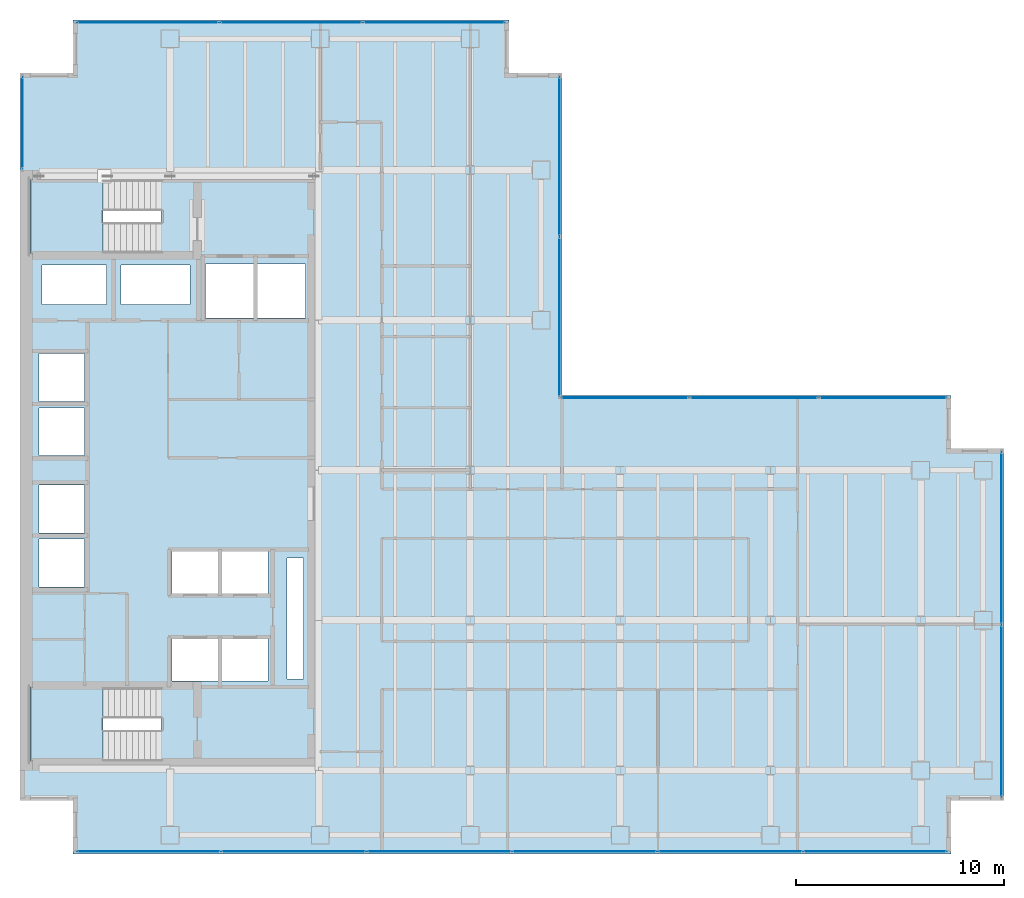
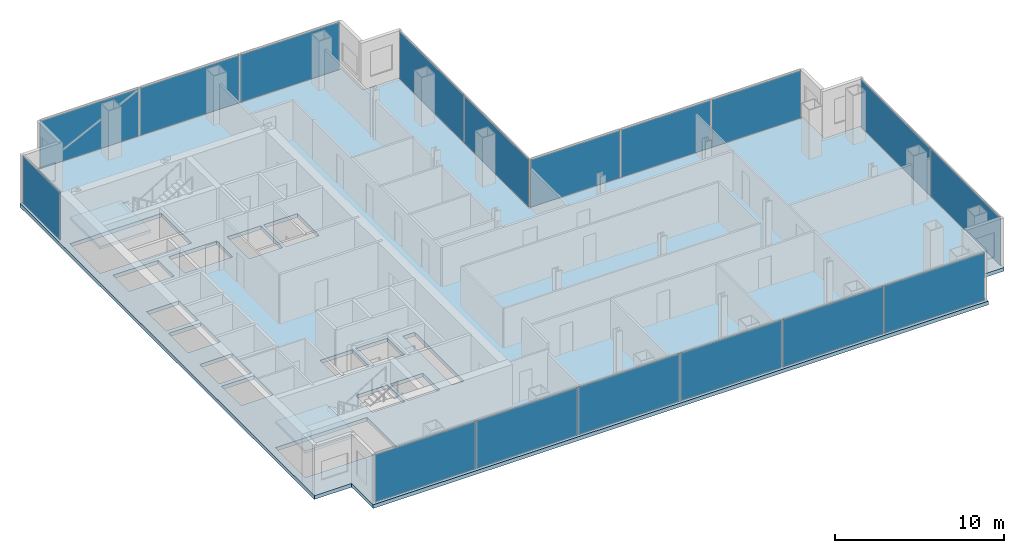
# One storey, part 19 of 24: 17 plates, 3 slabs, 15 openings, 8 elements without a shape of their own.
"""IFC4 building model written with IfcOpenShell, lengths in metres."""

from ifc_helpers import new_model, si_unit, direction, frame, origin, origin_2d, place, context, subcontext, project, spatial, polyline, rectangle, outline, extrude, material, layer, layer_set, type_object, element, aggregate, save


model = new_model("IFC4")

# Units and contexts
model_context = context("Model", 3, precision=1e-05, world=origin(), true_north=direction((0.0, 1.0)))
body_context = subcontext(model_context, "Body", "Model", "MODEL_VIEW")
ifc_project = project(units=[si_unit("LENGTHUNIT", "METRE"), si_unit("AREAUNIT", "SQUARE_METRE"), si_unit("VOLUMEUNIT", "CUBIC_METRE"), si_unit("PLANEANGLEUNIT", "RADIAN"), si_unit("MASSUNIT", "GRAM", prefix="KILO")], contexts=[model_context])

# Site, building, storey
site_placement = place(None, origin())
site = spatial("IfcSite", under=ifc_project, at=site_placement, CompositionType="ELEMENT")
building_placement = place(site_placement, origin())
building = spatial("IfcBuilding", under=site, at=building_placement, Name="Cobrela Telecom Tower", CompositionType="ELEMENT")
storey_placement = place(building_placement, frame((0.0, 0.0, 136.85009765625)))
storey = spatial("IfcBuildingStorey", under=building, at=storey_placement, Name="L34", CompositionType="ELEMENT", Elevation=136.85009765625)

# Curtain wall, plate
ifc_material_1 = material(Name="Anodized Bronze Aluminium 6063-T6", Category="aluminium")
curtain_wall_type = type_object("IfcCurtainWallType", Name="CW-SYS-TEL", PredefinedType="USERDEFINED", material=ifc_material_1)
curtain_wall_1_placement = place(storey_placement, origin())
curtain_wall_1 = element("IfcCurtainWall", 1, at=curtain_wall_1_placement, inside=storey, type_object=curtain_wall_type, Name="L34 Unitised Bronze Curtain Wall 04", ObjectType="UNITISED CURTAIN WALL", PredefinedType="USERDEFINED")
ifc_material_2 = material(Name="Solar-Control Bronze Low-E Glass", Category="glass")
ifc_layer_1 = layer(ifc_material_2, 0.035888671875)
ifc_layer_set_1 = layer_set([ifc_layer_1], Name="Solar-Control Bronze Low-E Glass")
plate_type = type_object("IfcPlateType", Name="CW-SYS-TEL-PNL", PredefinedType="CURTAIN_PANEL", material=ifc_layer_set_1)
plate_1_placement = place(storey_placement, frame((0.1201171875, 38.264892578125, 0.06982421875), z_axis=(0.0, 0.0, 1.0), x_axis=(0.0, 1.0, 0.0)))
plate_1 = element("IfcPlate", 2, at=plate_1_placement, type_object=plate_type, Name="CW-TEL panel 1.1", PredefinedType="CURTAIN_PANEL", context=body_context, shape_type="SweptSolid", body=[
    extrude(rectangle(XDim=4.3798828125, YDim=0.035888671875, at=origin_2d()), origin(), (0.0, 0.0, 1.0), 3.43994140625),
])
aggregate(curtain_wall_1, [plate_1])

# Curtain wall, plates
curtain_wall_2_placement = place(storey_placement, origin())
curtain_wall_2 = element("IfcCurtainWall", 3, at=curtain_wall_2_placement, inside=storey, type_object=curtain_wall_type, Name="L34 Unitised Bronze Curtain Wall 07", ObjectType="UNITISED CURTAIN WALL", PredefinedType="USERDEFINED")
plate_2_placement = place(storey_placement, frame((6.132080078125, 43.080078125, 0.06982421875), z_axis=(0.0, 0.0, 1.0), x_axis=(1.0, 0.0, 0.0)))
plate_2 = element("IfcPlate", 4, at=plate_2_placement, type_object=plate_type, Name="CW-TEL panel 1.1", PredefinedType="CURTAIN_PANEL", context=body_context, shape_type="SweptSolid", body=[
    extrude(rectangle(XDim=6.774169921875, YDim=0.035888671875, at=origin_2d()), origin(), (0.0, 0.0, 1.0), 3.43994140625),
])
plate_3_placement = place(storey_placement, frame((13.0, 43.080078125, 0.06982421875), z_axis=(0.0, 0.0, 1.0), x_axis=(1.0, 0.0, 0.0)))
plate_3 = element("IfcPlate", 5, at=plate_3_placement, type_object=plate_type, Name="CW-TEL panel 2.1", PredefinedType="CURTAIN_PANEL", context=body_context, shape_type="SweptSolid", body=[
    extrude(rectangle(XDim=6.811767578125, YDim=0.035888671875, at=origin_2d()), origin(), (0.0, 0.0, 1.0), 3.43994140625),
])
plate_4_placement = place(storey_placement, frame((19.867919921875, 43.080078125, 0.06982421875), z_axis=(0.0, 0.0, 1.0), x_axis=(1.0, 0.0, 0.0)))
plate_4 = element("IfcPlate", 6, at=plate_4_placement, type_object=plate_type, Name="CW-TEL panel 3.1", PredefinedType="CURTAIN_PANEL", context=body_context, shape_type="SweptSolid", body=[
    extrude(rectangle(XDim=6.774169921875, YDim=0.035888671875, at=origin_2d()), origin(), (0.0, 0.0, 1.0), 3.43994140625),
])
aggregate(curtain_wall_2, [plate_2, plate_3, plate_4])

curtain_wall_3_placement = place(storey_placement, origin())
curtain_wall_3 = element("IfcCurtainWall", 7, at=curtain_wall_3_placement, inside=storey, type_object=curtain_wall_type, Name="L34 Unitised Bronze Curtain Wall 10", ObjectType="UNITISED CURTAIN WALL", PredefinedType="USERDEFINED")
plate_5_placement = place(storey_placement, frame((25.8798828125, 36.648681640625, 0.06982421875), z_axis=(0.0, 0.0, 1.0), x_axis=(0.0, -1.0, 0.0)))
plate_5 = element("IfcPlate", 8, at=plate_5_placement, type_object=plate_type, Name="CW-TEL panel 1.1", PredefinedType="CURTAIN_PANEL", context=body_context, shape_type="SweptSolid", body=[
    extrude(rectangle(XDim=7.612548828125, YDim=0.035888671875, at=origin_2d()), origin(), (0.0, 0.0, 1.0), 3.43994140625),
])
plate_6_placement = place(storey_placement, frame((25.8798828125, 28.961181640625, 0.06982421875), z_axis=(0.0, 0.0, 1.0), x_axis=(0.0, -1.0, 0.0)))
plate_6 = element("IfcPlate", 9, at=plate_6_placement, type_object=plate_type, Name="CW-TEL panel 2.1", PredefinedType="CURTAIN_PANEL", context=body_context, shape_type="SweptSolid", body=[
    extrude(rectangle(XDim=7.612548828125, YDim=0.035888671875, at=origin_2d()), origin(), (0.0, 0.0, 1.0), 3.43994140625),
])
aggregate(curtain_wall_3, [plate_5, plate_6])

curtain_wall_4_placement = place(storey_placement, origin())
curtain_wall_4 = element("IfcCurtainWall", 10, at=curtain_wall_4_placement, inside=storey, type_object=curtain_wall_type, Name="L34 Unitised Bronze Curtain Wall 11", ObjectType="UNITISED CURTAIN WALL", PredefinedType="USERDEFINED")
plate_7_placement = place(storey_placement, frame((29.007080078125, 25.080078125, 0.06982421875), z_axis=(0.0, 0.0, 1.0), x_axis=(1.0, 0.0, 0.0)))
plate_7 = element("IfcPlate", 11, at=plate_7_placement, type_object=plate_type, Name="CW-TEL panel 1.1", PredefinedType="CURTAIN_PANEL", context=body_context, shape_type="SweptSolid", body=[
    extrude(rectangle(XDim=6.104248046875, YDim=0.035888671875, at=origin_2d()), origin(), (0.0, 0.0, 1.0), 3.43994140625),
])
plate_8_placement = place(storey_placement, frame((35.205078125, 25.080078125, 0.06982421875), z_axis=(0.0, 0.0, 1.0), x_axis=(1.0, 0.0, 0.0)))
plate_8 = element("IfcPlate", 12, at=plate_8_placement, type_object=plate_type, Name="CW-TEL panel 2.1", PredefinedType="CURTAIN_PANEL", context=body_context, shape_type="SweptSolid", body=[
    extrude(rectangle(XDim=6.1416015625, YDim=0.035888671875, at=origin_2d()), origin(), (0.0, 0.0, 1.0), 3.43994140625),
])
plate_9_placement = place(storey_placement, frame((41.40283203125, 25.080078125, 0.06982421875), z_axis=(0.0, 0.0, 1.0), x_axis=(1.0, 0.0, 0.0)))
plate_9 = element("IfcPlate", 13, at=plate_9_placement, type_object=plate_type, Name="CW-TEL panel 3.1", PredefinedType="CURTAIN_PANEL", context=body_context, shape_type="SweptSolid", body=[
    extrude(rectangle(XDim=6.104248046875, YDim=0.035888671875, at=origin_2d()), origin(), (0.0, 0.0, 1.0), 3.43994140625),
])
aggregate(curtain_wall_4, [plate_7, plate_8, plate_9])

curtain_wall_5_placement = place(storey_placement, origin())
curtain_wall_5 = element("IfcCurtainWall", 14, at=curtain_wall_5_placement, inside=storey, type_object=curtain_wall_type, Name="L34 Unitised Bronze Curtain Wall 14", ObjectType="UNITISED CURTAIN WALL", PredefinedType="USERDEFINED")
plate_10_placement = place(storey_placement, frame((47.080078125, 18.34619140625, 0.06982421875), z_axis=(0.0, 0.0, 1.0), x_axis=(0.0, -1.0, 0.0)))
plate_10 = element("IfcPlate", 15, at=plate_10_placement, type_object=plate_type, Name="CW-TEL panel 1.1", PredefinedType="CURTAIN_PANEL", context=body_context, shape_type="SweptSolid", body=[
    extrude(rectangle(XDim=8.217529296875, YDim=0.035888671875, at=origin_2d()), origin(), (0.0, 0.0, 1.0), 3.43994140625),
])
plate_11_placement = place(storey_placement, frame((47.080078125, 10.0537109375, 0.06982421875), z_axis=(0.0, 0.0, 1.0), x_axis=(0.0, -1.0, 0.0)))
plate_11 = element("IfcPlate", 16, at=plate_11_placement, type_object=plate_type, Name="CW-TEL panel 2.1", PredefinedType="CURTAIN_PANEL", context=body_context, shape_type="SweptSolid", body=[
    extrude(rectangle(XDim=8.217529296875, YDim=0.035888671875, at=origin_2d()), origin(), (0.0, 0.0, 1.0), 3.43994140625),
])
aggregate(curtain_wall_5, [plate_10, plate_11])

curtain_wall_6_placement = place(storey_placement, origin())
curtain_wall_6 = element("IfcCurtainWall", 17, at=curtain_wall_6_placement, inside=storey, type_object=curtain_wall_type, Name="L34 Unitised Bronze Curtain Wall 17", ObjectType="UNITISED CURTAIN WALL", PredefinedType="USERDEFINED")
plate_12_placement = place(storey_placement, frame((41.02294921875, 3.320068359375, 0.06982421875), z_axis=(0.0, 0.0, 1.0), x_axis=(-1.0, 0.0, 0.0)))
plate_12 = element("IfcPlate", 18, at=plate_12_placement, type_object=plate_type, Name="CW-TEL panel 1.1", PredefinedType="CURTAIN_PANEL", context=body_context, shape_type="SweptSolid", body=[
    extrude(rectangle(XDim=6.8642578125, YDim=0.035888671875, at=origin_2d()), origin(), (0.0, 0.0, 1.0), 3.43994140625),
])
plate_13_placement = place(storey_placement, frame((34.06494140625, 3.320068359375, 0.06982421875), z_axis=(0.0, 0.0, 1.0), x_axis=(-1.0, 0.0, 0.0)))
plate_13 = element("IfcPlate", 19, at=plate_13_placement, type_object=plate_type, Name="CW-TEL panel 2.1", PredefinedType="CURTAIN_PANEL", context=body_context, shape_type="SweptSolid", body=[
    extrude(rectangle(XDim=6.901611328125, YDim=0.035888671875, at=origin_2d()), origin(), (0.0, 0.0, 1.0), 3.43994140625),
])
plate_14_placement = place(storey_placement, frame((27.08837890625, 3.320068359375, 0.06982421875), z_axis=(0.0, 0.0, 1.0), x_axis=(-1.0, 0.0, 0.0)))
plate_14 = element("IfcPlate", 20, at=plate_14_placement, type_object=plate_type, Name="CW-TEL panel 3.1", PredefinedType="CURTAIN_PANEL", context=body_context, shape_type="SweptSolid", body=[
    extrude(rectangle(XDim=6.901611328125, YDim=0.035888671875, at=origin_2d()), origin(), (0.0, 0.0, 1.0), 3.43994140625),
])
plate_15_placement = place(storey_placement, frame((20.111572265625, 3.320068359375, 0.06982421875), z_axis=(0.0, 0.0, 1.0), x_axis=(-1.0, 0.0, 0.0)))
plate_15 = element("IfcPlate", 21, at=plate_15_placement, type_object=plate_type, Name="CW-TEL panel 4.1", PredefinedType="CURTAIN_PANEL", context=body_context, shape_type="SweptSolid", body=[
    extrude(rectangle(XDim=6.901611328125, YDim=0.035888671875, at=origin_2d()), origin(), (0.0, 0.0, 1.0), 3.43994140625),
])
plate_16_placement = place(storey_placement, frame((13.135009765625, 3.320068359375, 0.06982421875), z_axis=(0.0, 0.0, 1.0), x_axis=(-1.0, 0.0, 0.0)))
plate_16 = element("IfcPlate", 22, at=plate_16_placement, type_object=plate_type, Name="CW-TEL panel 5.1", PredefinedType="CURTAIN_PANEL", context=body_context, shape_type="SweptSolid", body=[
    extrude(rectangle(XDim=6.901611328125, YDim=0.035888671875, at=origin_2d()), origin(), (0.0, 0.0, 1.0), 3.43994140625),
])
plate_17_placement = place(storey_placement, frame((6.177001953125, 3.320068359375, 0.06982421875), z_axis=(0.0, 0.0, 1.0), x_axis=(-1.0, 0.0, 0.0)))
plate_17 = element("IfcPlate", 23, at=plate_17_placement, type_object=plate_type, Name="CW-TEL panel 6.1", PredefinedType="CURTAIN_PANEL", context=body_context, shape_type="SweptSolid", body=[
    extrude(rectangle(XDim=6.8642578125, YDim=0.035888671875, at=origin_2d()), origin(), (0.0, 0.0, 1.0), 3.43994140625),
])
aggregate(curtain_wall_6, [plate_12, plate_13, plate_14, plate_15, plate_16, plate_17])

# Slab, openings
ifc_material_3 = material(Name="Concrete C40/50", Category="concrete")
ifc_layer_2 = layer(ifc_material_3, 0.27001953125)
ifc_layer_set_2 = layer_set([ifc_layer_2], Name="Concrete C40/50")
slab_type_1 = type_object("IfcSlabType", Name="SLAB-FLR-270", PredefinedType="FLOOR", material=ifc_layer_set_2)
slab_1_placement = place(storey_placement, frame((0.0, 0.0, -0.27001953125)))
slab_1 = element("IfcSlab", 24, at=slab_1_placement, inside=storey, type_object=slab_type_1, Name="L34 Structural Floor Slab", PredefinedType="FLOOR", context=body_context, shape_type="SweptSolid", body=[
    extrude(outline(polyline([(2.550048828125, 3.199951171875), (44.64990234375, 3.199951171875), (44.64990234375, 5.75), (47.199951171875, 5.75), (47.199951171875, 22.64990234375), (44.64990234375, 22.64990234375), (44.64990234375, 25.199951171875), (26.0, 25.199951171875), (26.0, 40.64990234375), (23.449951171875, 40.64990234375), (23.449951171875, 43.199951171875), (2.550048828125, 43.199951171875), (2.550048828125, 40.64990234375), (0.0, 40.64990234375), (0.0, 5.75), (2.550048828125, 5.75), (2.550048828125, 3.199951171875)])), origin(), (0.0, 0.0, 1.0), 0.27001953125),
])
opening_1_placement = place(slab_1_placement, frame((0.0, 0.0, -0.02001953125)))
element("IfcOpeningElement", 25, at=opening_1_placement, cuts=slab_1, Name="Slab Shaft Opening SLAB-L34-MAIN.1", PredefinedType="OPENING", context=body_context, shape_type="SweptSolid", body=[
    extrude(outline(polyline([(8.89990234375, 28.89990234375), (11.199951171875, 28.89990234375), (11.199951171875, 31.5), (8.89990234375, 31.5), (8.89990234375, 28.89990234375)])), origin(), (0.0, 0.0, 1.0), 0.31005859375),
])
opening_2_placement = place(slab_1_placement, frame((0.0, 0.0, -0.02001953125)))
element("IfcOpeningElement", 26, at=opening_2_placement, cuts=slab_1, Name="Slab Shaft Opening SLAB-L34-MAIN.2", PredefinedType="OPENING", context=body_context, shape_type="SweptSolid", body=[
    extrude(outline(polyline([(11.39990234375, 28.89990234375), (13.699951171875, 28.89990234375), (13.699951171875, 31.5), (11.39990234375, 31.5), (11.39990234375, 28.89990234375)])), origin(), (0.0, 0.0, 1.0), 0.31005859375),
])
opening_3_placement = place(slab_1_placement, frame((0.0, 0.0, -0.02001953125)))
element("IfcOpeningElement", 27, at=opening_3_placement, cuts=slab_1, Name="Slab Shaft Opening SLAB-L34-MAIN.3", PredefinedType="OPENING", context=body_context, shape_type="SweptSolid", body=[
    extrude(outline(polyline([(7.300048828125, 15.699951171875), (9.5, 15.699951171875), (9.5, 17.699951171875), (7.300048828125, 17.699951171875), (7.300048828125, 15.699951171875)])), origin(), (0.0, 0.0, 1.0), 0.31005859375),
])
opening_4_placement = place(slab_1_placement, frame((0.0, 0.0, -0.02001953125)))
element("IfcOpeningElement", 28, at=opening_4_placement, cuts=slab_1, Name="Slab Shaft Opening SLAB-L34-MAIN.4", PredefinedType="OPENING", context=body_context, shape_type="SweptSolid", body=[
    extrude(outline(polyline([(9.699951171875, 15.699951171875), (11.89990234375, 15.699951171875), (11.89990234375, 17.699951171875), (9.699951171875, 17.699951171875), (9.699951171875, 15.699951171875)])), origin(), (0.0, 0.0, 1.0), 0.31005859375),
])
opening_5_placement = place(slab_1_placement, frame((0.0, 0.0, -0.02001953125)))
element("IfcOpeningElement", 29, at=opening_5_placement, cuts=slab_1, Name="Slab Shaft Opening SLAB-L34-MAIN.5", PredefinedType="OPENING", context=body_context, shape_type="SweptSolid", body=[
    extrude(outline(polyline([(7.300048828125, 11.5), (9.5, 11.5), (9.5, 13.5), (7.300048828125, 13.5), (7.300048828125, 11.5)])), origin(), (0.0, 0.0, 1.0), 0.31005859375),
])
opening_6_placement = place(slab_1_placement, frame((0.0, 0.0, -0.02001953125)))
element("IfcOpeningElement", 30, at=opening_6_placement, cuts=slab_1, Name="Slab Shaft Opening SLAB-L34-MAIN.6", PredefinedType="OPENING", context=body_context, shape_type="SweptSolid", body=[
    extrude(outline(polyline([(9.699951171875, 11.5), (11.89990234375, 11.5), (11.89990234375, 13.5), (9.699951171875, 13.5), (9.699951171875, 11.5)])), origin(), (0.0, 0.0, 1.0), 0.31005859375),
])
opening_7_placement = place(slab_1_placement, frame((0.0, 0.0, -0.02001953125)))
element("IfcOpeningElement", 31, at=opening_7_placement, cuts=slab_1, Name="Slab Shaft Opening SLAB-L34-MAIN.7", PredefinedType="OPENING", context=body_context, shape_type="SweptSolid", body=[
    extrude(outline(polyline([(0.89990234375, 16.0), (3.10009765625, 16.0), (3.10009765625, 18.300048828125), (0.89990234375, 18.300048828125), (0.89990234375, 16.0)])), origin(), (0.0, 0.0, 1.0), 0.31005859375),
])
opening_8_placement = place(slab_1_placement, frame((0.0, 0.0, -0.02001953125)))
element("IfcOpeningElement", 32, at=opening_8_placement, cuts=slab_1, Name="Slab Shaft Opening SLAB-L34-MAIN.8", PredefinedType="OPENING", context=body_context, shape_type="SweptSolid", body=[
    extrude(outline(polyline([(0.89990234375, 18.60009765625), (3.10009765625, 18.60009765625), (3.10009765625, 20.89990234375), (0.89990234375, 20.89990234375), (0.89990234375, 18.60009765625)])), origin(), (0.0, 0.0, 1.0), 0.31005859375),
])
opening_9_placement = place(slab_1_placement, frame((0.0, 0.0, -0.02001953125)))
element("IfcOpeningElement", 33, at=opening_9_placement, cuts=slab_1, Name="Slab Shaft Opening SLAB-L34-MAIN.9", PredefinedType="OPENING", context=body_context, shape_type="SweptSolid", body=[
    extrude(outline(polyline([(0.89990234375, 22.300048828125), (3.10009765625, 22.300048828125), (3.10009765625, 24.60009765625), (0.89990234375, 24.60009765625), (0.89990234375, 22.300048828125)])), origin(), (0.0, 0.0, 1.0), 0.31005859375),
])
opening_10_placement = place(slab_1_placement, frame((0.0, 0.0, -0.02001953125)))
element("IfcOpeningElement", 34, at=opening_10_placement, cuts=slab_1, Name="Slab Shaft Opening SLAB-L34-MAIN.10", PredefinedType="OPENING", context=body_context, shape_type="SweptSolid", body=[
    extrude(outline(polyline([(0.89990234375, 24.89990234375), (3.10009765625, 24.89990234375), (3.10009765625, 27.199951171875), (0.89990234375, 27.199951171875), (0.89990234375, 24.89990234375)])), origin(), (0.0, 0.0, 1.0), 0.31005859375),
])
opening_11_placement = place(slab_1_placement, frame((0.0, 0.0, -0.02001953125)))
element("IfcOpeningElement", 35, at=opening_11_placement, cuts=slab_1, Name="Slab Shaft Opening SLAB-L34-MAIN.11", PredefinedType="OPENING", context=body_context, shape_type="SweptSolid", body=[
    extrude(outline(polyline([(1.050048828125, 29.550048828125), (4.14990234375, 29.550048828125), (4.14990234375, 31.449951171875), (1.050048828125, 31.449951171875), (1.050048828125, 29.550048828125)])), origin(), (0.0, 0.0, 1.0), 0.31005859375),
])
opening_12_placement = place(slab_1_placement, frame((0.0, 0.0, -0.02001953125)))
element("IfcOpeningElement", 36, at=opening_12_placement, cuts=slab_1, Name="Slab Shaft Opening SLAB-L34-MAIN.12", PredefinedType="OPENING", context=body_context, shape_type="SweptSolid", body=[
    extrude(outline(polyline([(4.85009765625, 29.550048828125), (8.14990234375, 29.550048828125), (8.14990234375, 31.449951171875), (4.85009765625, 31.449951171875), (4.85009765625, 29.550048828125)])), origin(), (0.0, 0.0, 1.0), 0.31005859375),
])
opening_13_placement = place(slab_1_placement, frame((0.0, 0.0, -0.02001953125)))
element("IfcOpeningElement", 37, at=opening_13_placement, cuts=slab_1, Name="Slab Shaft Opening SLAB-L34-MAIN.13", PredefinedType="OPENING", context=body_context, shape_type="SweptSolid", body=[
    extrude(outline(polyline([(12.800048828125, 11.60009765625), (13.60009765625, 11.60009765625), (13.60009765625, 17.39990234375), (12.800048828125, 17.39990234375), (12.800048828125, 11.60009765625)])), origin(), (0.0, 0.0, 1.0), 0.31005859375),
])
opening_14_placement = place(slab_1_placement, frame((0.0, 0.0, -0.02001953125)))
element("IfcOpeningElement", 38, at=opening_14_placement, cuts=slab_1, Name="Slab Shaft Opening SLAB-L34-MAIN.14", PredefinedType="OPENING", context=body_context, shape_type="SweptSolid", body=[
    extrude(outline(polyline([(6.7548828125, 35.550048828125), (0.47998046875, 35.550048828125), (0.47998046875, 32.0), (6.7548828125, 32.0), (6.7548828125, 35.550048828125)])), origin(), (0.0, 0.0, 1.0), 0.31005859375),
])
opening_15_placement = place(slab_1_placement, frame((0.0, 0.0, -0.02001953125)))
element("IfcOpeningElement", 39, at=opening_15_placement, cuts=slab_1, Name="Slab Shaft Opening SLAB-L34-MAIN.15", PredefinedType="OPENING", context=body_context, shape_type="SweptSolid", body=[
    extrude(outline(polyline([(6.7548828125, 11.199951171875), (0.47998046875, 11.199951171875), (0.47998046875, 7.64990234375), (6.7548828125, 7.64990234375), (6.7548828125, 11.199951171875)])), origin(), (0.0, 0.0, 1.0), 0.31005859375),
])

# Stair, slab
stair_type = type_object("IfcStairType", Name="STAIR-CORE", PredefinedType="HALF_TURN_STAIR", material=ifc_material_3)
stair_1_placement = place(storey_placement, origin())
stair_1 = element("IfcStair", 40, at=stair_1_placement, inside=storey, type_object=stair_type, Name="L34 Smokeproof Exit Stair ST1", PredefinedType="HALF_TURN_STAIR")
ifc_layer_3 = layer(ifc_material_3, 0.199951171875)
ifc_layer_set_3 = layer_set([ifc_layer_3], Name="Concrete C40/50")
slab_type_2 = type_object("IfcSlabType", Name="SLAB-LAND-200", PredefinedType="LANDING", material=ifc_layer_set_3)
slab_2_placement = place(storey_placement, frame((0.0, 0.0, 1.724853515625)))
slab_2 = element("IfcSlab", 41, at=slab_2_placement, type_object=slab_type_2, Name="ST1 landing 1", PredefinedType="LANDING", context=body_context, shape_type="SweptSolid", body=[
    extrude(outline(polyline([(3.969970703125, 35.550048828125), (0.47998046875, 35.550048828125), (0.47998046875, 32.0), (3.969970703125, 32.0), (3.969970703125, 35.550048828125)])), origin(), (0.0, 0.0, 1.0), 0.199951171875),
])
aggregate(stair_1, [slab_2])

stair_2_placement = place(storey_placement, origin())
stair_2 = element("IfcStair", 42, at=stair_2_placement, inside=storey, type_object=stair_type, Name="L34 Smokeproof Exit Stair ST2", PredefinedType="HALF_TURN_STAIR")
slab_3_placement = place(storey_placement, frame((0.0, 0.0, 1.724853515625)))
slab_3 = element("IfcSlab", 43, at=slab_3_placement, type_object=slab_type_2, Name="ST2 landing 1", PredefinedType="LANDING", context=body_context, shape_type="SweptSolid", body=[
    extrude(outline(polyline([(3.969970703125, 11.199951171875), (0.47998046875, 11.199951171875), (0.47998046875, 7.64990234375), (3.969970703125, 7.64990234375), (3.969970703125, 11.199951171875)])), origin(), (0.0, 0.0, 1.0), 0.199951171875),
])
aggregate(stair_2, [slab_3])

save(model, "model.ifc")
